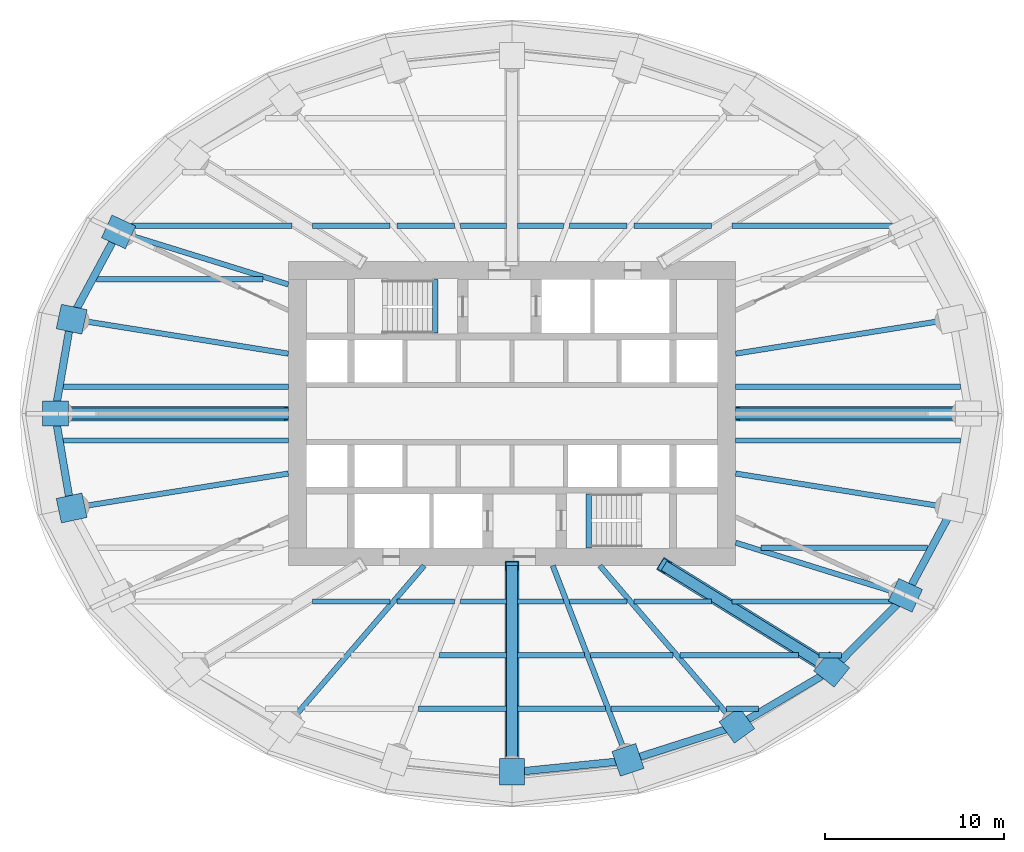
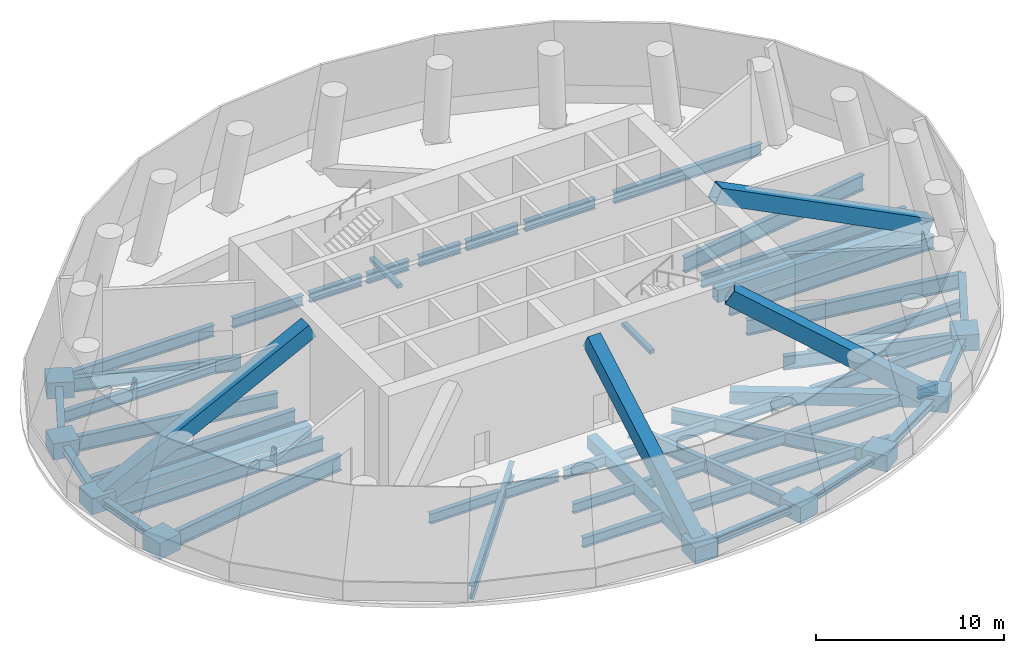
# One storey, part 2 of 7: 62 beams, 4 members.
"""IFC4 building model written with IfcOpenShell, lengths in metres."""

from ifc_helpers import new_model, si_unit, direction, frame, origin, origin_2d, place, context, subcontext, project, spatial, rectangle, hollow_rectangle, i_section, extrude, material, material_profile, profile_set, type_object, element, save


model = new_model("IFC4")

# Units and contexts
model_context = context("Model", 3, precision=1e-05, world=origin(), true_north=direction((0.0, 1.0)))
body_context = subcontext(model_context, "Body", "Model", "MODEL_VIEW")
ifc_project = project(units=[si_unit("LENGTHUNIT", "METRE"), si_unit("AREAUNIT", "SQUARE_METRE"), si_unit("VOLUMEUNIT", "CUBIC_METRE"), si_unit("PLANEANGLEUNIT", "RADIAN"), si_unit("MASSUNIT", "GRAM", prefix="KILO")], contexts=[model_context])

# Site, building, storey
site_placement = place(None, origin())
site = spatial("IfcSite", under=ifc_project, at=site_placement, CompositionType="ELEMENT")
building_placement = place(site_placement, origin())
building = spatial("IfcBuilding", under=site, at=building_placement, Name="Hankou Lantern Tower", CompositionType="ELEMENT")
storey_placement = place(building_placement, frame((0.0, 0.0, 93.60009765625)))
storey = spatial("IfcBuildingStorey", under=building, at=storey_placement, Name="L24", CompositionType="ELEMENT", Elevation=93.60009765625)

# Beams
ifc_material_1 = material(Name="Steel Q355B", Category="steel")
ifc_material_profile_1 = material_profile(ifc_material_1, i_section(OverallWidth=0.4169921875, OverallDepth=0.4580078125, WebThickness=0.030029296875, FlangeThickness=0.050048828125, FilletRadius=0.02197265625, at=origin_2d()), Name="HW458x417x30x50")
ifc_profile_set_1 = profile_set([ifc_material_profile_1], Name="Steel Q355B")
beam_type_1 = type_object("IfcBeamType", Name="EB21 RING BEAM HW458x417x30x50", PredefinedType="SPANDREL", material=ifc_profile_set_1)
beam_1_placement = place(storey_placement, frame((-22.01904296875, 10.170166015625, -0.47900390625), z_axis=(-0.473609096023, -0.880735161194, 0.0), x_axis=(0.880735161194, -0.473609096023, 0.0)))
element("IfcBeam", 1, at=beam_1_placement, inside=storey, type_object=beam_type_1, Name="Ring beam R11-R12 L24", PredefinedType="SPANDREL", context=body_context, shape_type="SweptSolid", body=[
    extrude(i_section(OverallWidth=0.4169921875, OverallDepth=0.4580078125, WebThickness=0.030029296875, FlangeThickness=0.050048828125, FilletRadius=0.02197265625, at=origin_2d()), origin(), (0.0, 0.0, 1.0), 5.548828125),
])
for number, where, z_axis, x_axis, name in (
    (2, (-24.64697265625, 5.283203125, -0.47900390625), (-0.168489691988, -0.985703415685, 0.0), (0.985703415685, -0.168489691988, 0.0), "Ring beam R12-R13 L24"),
    (3, (-25.550048828125, 0.0, -0.47900390625), (0.168489691988, -0.985703415685, 0.0), (0.985703415685, 0.168489691988, 0.0), "Ring beam R13-R14 L24"),
):
    element("IfcBeam", number, at=place(storey_placement, frame(where, z_axis=z_axis, x_axis=x_axis)), inside=storey, type_object=beam_type_1, Name=name, PredefinedType="SPANDREL", context=body_context, shape_type="SweptSolid", body=[
        extrude(i_section(OverallWidth=0.4169921875, OverallDepth=0.4580078125, WebThickness=0.030029296875, FlangeThickness=0.050048828125, FilletRadius=0.02197265625, at=origin_2d()), origin(), (0.0, 0.0, 1.0), 5.35986328125),
    ])
beam_2_placement = place(storey_placement, frame((0.0, -20.050048828125, -0.47900390625), z_axis=(0.994896616842, 0.100899562915, 0.0), x_axis=(-0.100899562915, 0.994896616842, 0.0)))
element("IfcBeam", 4, at=beam_2_placement, inside=storey, type_object=beam_type_1, Name="Ring beam R19-R20 L24", PredefinedType="SPANDREL", context=body_context, shape_type="SweptSolid", body=[
    extrude(i_section(OverallWidth=0.4169921875, OverallDepth=0.4580078125, WebThickness=0.030029296875, FlangeThickness=0.050048828125, FilletRadius=0.02197265625, at=origin_2d()), origin(), (0.0, 0.0, 1.0), 6.528076171875),
])
beam_3_placement = place(storey_placement, frame((6.494873046875, -19.391357421875, -0.47900390625), z_axis=(0.952690479428, 0.303942182671, 0.0), x_axis=(-0.303942182671, 0.952690479428, 0.0)))
element("IfcBeam", 5, at=beam_3_placement, inside=storey, type_object=beam_type_1, Name="Ring beam R20-R21 L24", PredefinedType="SPANDREL", context=body_context, shape_type="SweptSolid", body=[
    extrude(i_section(OverallWidth=0.4169921875, OverallDepth=0.4580078125, WebThickness=0.030029296875, FlangeThickness=0.050048828125, FilletRadius=0.02197265625, at=origin_2d()), origin(), (0.0, 0.0, 1.0), 6.398681640625),
])
beam_4_placement = place(storey_placement, frame((12.5908203125, -17.446533203125, -0.47900390625), z_axis=(0.860881533543, 0.508805449268, 0.0), x_axis=(-0.508805449268, 0.860881533543, 0.0)))
element("IfcBeam", 6, at=beam_4_placement, inside=storey, type_object=beam_type_1, Name="Ring beam R21-R22 L24", PredefinedType="SPANDREL", context=body_context, shape_type="SweptSolid", body=[
    extrude(i_section(OverallWidth=0.4169921875, OverallDepth=0.4580078125, WebThickness=0.030029296875, FlangeThickness=0.050048828125, FilletRadius=0.02197265625, at=origin_2d()), origin(), (0.0, 0.0, 1.0), 6.15771484375),
])
beam_5_placement = place(storey_placement, frame((17.891845703125, -14.3134765625, -0.47900390625), z_axis=(0.705727798394, 0.708483079949, 0.0), x_axis=(-0.708483079949, 0.705727798394, 0.0)))
element("IfcBeam", 7, at=beam_5_placement, inside=storey, type_object=beam_type_1, Name="Ring beam R22-R23 L24", PredefinedType="SPANDREL", context=body_context, shape_type="SweptSolid", body=[
    extrude(i_section(OverallWidth=0.4169921875, OverallDepth=0.4580078125, WebThickness=0.030029296875, FlangeThickness=0.050048828125, FilletRadius=0.02197265625, at=origin_2d()), origin(), (0.0, 0.0, 1.0), 5.84814453125),
])
beam_6_placement = place(storey_placement, frame((22.01904296875, -10.170166015625, -0.47900390625), z_axis=(0.473609096023, 0.880735161194, 0.0), x_axis=(-0.880735161194, 0.473609096023, 0.0)))
element("IfcBeam", 8, at=beam_6_placement, inside=storey, type_object=beam_type_1, Name="Ring beam R23-R24 L24", PredefinedType="SPANDREL", context=body_context, shape_type="SweptSolid", body=[
    extrude(i_section(OverallWidth=0.4169921875, OverallDepth=0.4580078125, WebThickness=0.030029296875, FlangeThickness=0.050048828125, FilletRadius=0.02197265625, at=origin_2d()), origin(), (0.0, 0.0, 1.0), 5.548828125),
])
ifc_material_2 = material(Name="Concrete C40", Category="concrete")
ifc_material_profile_2 = material_profile(ifc_material_2, rectangle(XDim=0.300048828125, YDim=0.25, at=origin_2d()), Name="RC 300x250")
ifc_profile_set_2 = profile_set([ifc_material_profile_2], Name="Concrete C40")
beam_type_2 = type_object("IfcBeamType", Name="LB1 STAIR LANDING BEAM RC 300x250", PredefinedType="BEAM", material=ifc_profile_set_2)
for number, where, z_axis, x_axis, name in (
    (9, (-4.300048828125, 4.5, 3.017822265625), (0.0, 1.0, 0.0), (-1.0, 0.0, 0.0), "Stair STA landing beam L24"),
    (10, (4.300048828125, -4.5, 3.017822265625), (0.0, -1.0, 0.0), (1.0, 0.0, 0.0), "Stair STB landing beam L24"),
):
    element("IfcBeam", number, at=place(storey_placement, frame(where, z_axis=z_axis, x_axis=x_axis)), inside=storey, type_object=beam_type_2, Name=name, PredefinedType="BEAM", context=body_context, shape_type="SweptSolid", body=[
        extrude(rectangle(XDim=0.300048828125, YDim=0.25, at=origin_2d()), origin(), (0.0, 0.0, 1.0), 3.0),
    ])

# Members
ifc_material_3 = material(Name="Steel Q390GJ", Category="steel")
ifc_material_profile_3 = material_profile(ifc_material_3, hollow_rectangle(XDim=0.800048828125, YDim=1.0, WallThickness=0.06005859375, at=origin_2d()), Name="BOX1000x800x60")
ifc_profile_set_3 = profile_set([ifc_material_profile_3], Name="Steel Q390GJ")
member_type = type_object("IfcMemberType", Name="OD1 OUTRIGGER DIAGONAL BOX1000x800x60", PredefinedType="BRACE", material=ifc_profile_set_3)
for number, where, z_axis, x_axis, name in (
    (11, (12.5, 0.0, 5.949951171875), (0.892364354646, 0.0, -0.45131569722), (0.0, 1.0, 0.0), "Outrigger diagonal R01 L24"),
    (12, (-12.5, 0.0, 5.949951171875), (-0.892364354646, 0.0, -0.45131569722), (0.0, -1.0, 0.0), "Outrigger diagonal R13 L24"),
):
    element("IfcMember", number, at=place(storey_placement, frame(where, z_axis=z_axis, x_axis=x_axis)), inside=storey, type_object=member_type, Name=name, PredefinedType="BRACE", context=body_context, shape_type="SweptSolid", body=[
        extrude(hollow_rectangle(XDim=0.800048828125, YDim=1.0, WallThickness=0.06005859375, at=origin_2d()), origin(), (0.0, 0.0, 1.0), 14.6240234375),
    ])
member_1_placement = place(storey_placement, frame((0.0, -8.5, 5.949951171875), z_axis=(0.0, -0.86824088334, -0.496142891209), x_axis=(1.0, 0.0, 0.0)))
element("IfcMember", 13, at=member_1_placement, inside=storey, type_object=member_type, Name="Outrigger diagonal R19 L24", PredefinedType="BRACE", context=body_context, shape_type="SweptSolid", body=[
    extrude(hollow_rectangle(XDim=0.800048828125, YDim=1.0, WallThickness=0.06005859375, at=origin_2d()), origin(), (0.0, 0.0, 1.0), 13.302734375),
])
member_2_placement = place(storey_placement, frame((8.5, -8.5, 5.949951171875), z_axis=(0.72990653743, -0.45180624579, -0.512940116273), x_axis=(0.526320372414, 0.850286343288, 0.0)))
element("IfcMember", 14, at=member_2_placement, inside=storey, type_object=member_type, Name="Outrigger diagonal R22 L24", PredefinedType="BRACE", context=body_context, shape_type="SweptSolid", body=[
    extrude(hollow_rectangle(XDim=0.800048828125, YDim=1.0, WallThickness=0.06005859375, at=origin_2d()), origin(), (0.0, 0.0, 1.0), 12.8671875),
])

# Beams
ifc_material_4 = material(Name="Steel Q390GJ", Category="steel")
ifc_material_profile_4 = material_profile(ifc_material_4, hollow_rectangle(XDim=0.60009765625, YDim=0.800048828125, WallThickness=0.050048828125, at=origin_2d()), Name="BOX800x600x50")
ifc_profile_set_4 = profile_set([ifc_material_profile_4], Name="Steel Q390GJ")
beam_type_3 = type_object("IfcBeamType", Name="OT1 OUTRIGGER CHORD BOX800x600x50", PredefinedType="BEAM", material=ifc_profile_set_4)
for number, where, z_axis, x_axis, name in (
    (15, (12.5, 0.0, -0.650146484375), (1.0, 0.0, 0.0), (0.0, 1.0, 0.0), "Radial beam R01 L24"),
    (16, (-12.5, 0.0, -0.650146484375), (-1.0, 0.0, 0.0), (0.0, -1.0, 0.0), "Radial beam R13 L24"),
):
    element("IfcBeam", number, at=place(storey_placement, frame(where, z_axis=z_axis, x_axis=x_axis)), inside=storey, type_object=beam_type_3, Name=name, PredefinedType="BEAM", context=body_context, shape_type="SweptSolid", body=[
        extrude(hollow_rectangle(XDim=0.60009765625, YDim=0.800048828125, WallThickness=0.050048828125, at=origin_2d()), origin(), (0.0, 0.0, 1.0), 13.050048828125),
    ])
beam_7_placement = place(storey_placement, frame((0.0, -8.5, -0.650146484375), z_axis=(0.0, -1.0, 0.0), x_axis=(1.0, 0.0, 0.0)))
element("IfcBeam", 17, at=beam_7_placement, inside=storey, type_object=beam_type_3, Name="Radial beam R19 L24", PredefinedType="BEAM", context=body_context, shape_type="SweptSolid", body=[
    extrude(hollow_rectangle(XDim=0.60009765625, YDim=0.800048828125, WallThickness=0.050048828125, at=origin_2d()), origin(), (0.0, 0.0, 1.0), 11.550048828125),
])
beam_8_placement = place(storey_placement, frame((8.5, -8.5, -0.650146484375), z_axis=(0.850286343288, -0.526320372414, 0.0), x_axis=(0.526320372414, 0.850286343288, 0.0)))
element("IfcBeam", 18, at=beam_8_placement, inside=storey, type_object=beam_type_3, Name="Radial beam R22 L24", PredefinedType="BEAM", context=body_context, shape_type="SweptSolid", body=[
    extrude(hollow_rectangle(XDim=0.60009765625, YDim=0.800048828125, WallThickness=0.050048828125, at=origin_2d()), origin(), (0.0, 0.0, 1.0), 11.04541015625),
])
ifc_material_5 = material(Name="Steel Q355B", Category="steel")
ifc_material_profile_5 = material_profile(ifc_material_5, i_section(OverallWidth=0.300048828125, OverallDepth=0.89990234375, WebThickness=0.01611328125, FlangeThickness=0.028076171875, FilletRadius=0.01806640625, at=origin_2d()), Name="HN900x300x16x28")
ifc_profile_set_5 = profile_set([ifc_material_profile_5], Name="Steel Q355B")
beam_type_4 = type_object("IfcBeamType", Name="RB13 RADIAL BEAM HN900x300x16x28", PredefinedType="BEAM", material=ifc_profile_set_5)
beam_9_placement = place(storey_placement, frame((-12.5, 7.216796875, -0.7001953125), z_axis=(-0.955087327755, 0.29632447817, 0.0), x_axis=(-0.29632447817, -0.955087327755, 0.0)))
element("IfcBeam", 19, at=beam_9_placement, inside=storey, type_object=beam_type_4, Name="Radial beam R11 L24", PredefinedType="BEAM", context=body_context, shape_type="SweptSolid", body=[
    extrude(i_section(OverallWidth=0.300048828125, OverallDepth=0.89990234375, WebThickness=0.01611328125, FlangeThickness=0.028076171875, FilletRadius=0.01806640625, at=origin_2d()), origin(), (0.0, 0.0, 1.0), 9.966552734375),
])
beam_10_placement = place(storey_placement, frame((-4.907470703125, -8.5, -0.7001953125), z_axis=(-0.651519061225, -0.758632264579, 0.0), x_axis=(0.758632264579, -0.651519061225, 0.0)))
element("IfcBeam", 20, at=beam_10_placement, inside=storey, type_object=beam_type_4, Name="Radial beam R17 L24", PredefinedType="BEAM", context=body_context, shape_type="SweptSolid", body=[
    extrude(i_section(OverallWidth=0.300048828125, OverallDepth=0.89990234375, WebThickness=0.01611328125, FlangeThickness=0.028076171875, FilletRadius=0.01806640625, at=origin_2d()), origin(), (0.0, 0.0, 1.0), 11.79296875),
])
beam_11_placement = place(storey_placement, frame((2.277587890625, -8.5, -0.7001953125), z_axis=(0.361089103374, -0.932531318201, 0.0), x_axis=(0.932531318201, 0.361089103374, 0.0)))
element("IfcBeam", 21, at=beam_11_placement, inside=storey, type_object=beam_type_4, Name="Radial beam R20 L24", PredefinedType="BEAM", context=body_context, shape_type="SweptSolid", body=[
    extrude(i_section(OverallWidth=0.300048828125, OverallDepth=0.89990234375, WebThickness=0.01611328125, FlangeThickness=0.028076171875, FilletRadius=0.01806640625, at=origin_2d()), origin(), (0.0, 0.0, 1.0), 11.679443359375),
])
beam_12_placement = place(storey_placement, frame((4.907470703125, -8.5, -0.7001953125), z_axis=(0.651519061225, -0.758632264579, 0.0), x_axis=(0.758632264579, 0.651519061225, 0.0)))
element("IfcBeam", 22, at=beam_12_placement, inside=storey, type_object=beam_type_4, Name="Radial beam R21 L24", PredefinedType="BEAM", context=body_context, shape_type="SweptSolid", body=[
    extrude(i_section(OverallWidth=0.300048828125, OverallDepth=0.89990234375, WebThickness=0.01611328125, FlangeThickness=0.028076171875, FilletRadius=0.01806640625, at=origin_2d()), origin(), (0.0, 0.0, 1.0), 11.79296875),
])
beam_13_placement = place(storey_placement, frame((12.5, -7.216796875, -0.7001953125), z_axis=(0.955087327755, -0.29632447817, 0.0), x_axis=(0.29632447817, 0.955087327755, 0.0)))
element("IfcBeam", 23, at=beam_13_placement, inside=storey, type_object=beam_type_4, Name="Radial beam R23 L24", PredefinedType="BEAM", context=body_context, shape_type="SweptSolid", body=[
    extrude(i_section(OverallWidth=0.300048828125, OverallDepth=0.89990234375, WebThickness=0.01611328125, FlangeThickness=0.028076171875, FilletRadius=0.01806640625, at=origin_2d()), origin(), (0.0, 0.0, 1.0), 9.966552734375),
])
ifc_material_6 = material(Name="Steel Q355B", Category="steel")
ifc_material_profile_6 = material_profile(ifc_material_6, i_section(OverallWidth=0.300048828125, OverallDepth=1.0, WebThickness=0.01904296875, FlangeThickness=0.035888671875, FilletRadius=0.01806640625, at=origin_2d()), Name="HN1000x300x19x36")
ifc_profile_set_6 = profile_set([ifc_material_profile_6], Name="Steel Q355B")
beam_type_5 = type_object("IfcBeamType", Name="RB22 RADIAL BEAM HN1000x300x19x36", PredefinedType="BEAM", material=ifc_profile_set_6)
for number, where, z_axis, x_axis, name in (
    (24, (12.5, 3.349365234375, -0.75), (0.987563081343, 0.157223281893, 0.0), (-0.157223281893, 0.987563081343, 0.0), "Radial beam R02 L24"),
    (25, (-12.5, 3.349365234375, -0.75), (-0.987563081343, 0.157223281893, 0.0), (-0.157223281893, -0.987563081343, 0.0), "Radial beam R12 L24"),
    (26, (-12.5, -3.349365234375, -0.75), (-0.987563081343, -0.157223281893, 0.0), (0.157223281893, -0.987563081343, 0.0), "Radial beam R14 L24"),
    (27, (12.5, -3.349365234375, -0.75), (0.987563081343, -0.157223281893, 0.0), (0.157223281893, 0.987563081343, 0.0), "Radial beam R24 L24"),
):
    element("IfcBeam", number, at=place(storey_placement, frame(where, z_axis=z_axis, x_axis=x_axis)), inside=storey, type_object=beam_type_5, Name=name, PredefinedType="BEAM", context=body_context, shape_type="SweptSolid", body=[
        extrude(i_section(OverallWidth=0.300048828125, OverallDepth=1.0, WebThickness=0.01904296875, FlangeThickness=0.035888671875, FilletRadius=0.01806640625, at=origin_2d()), origin(), (0.0, 0.0, 1.0), 12.300048828125),
    ])
ifc_material_7 = material(Name="Steel Q355B", Category="steel")
ifc_material_profile_7 = material_profile(ifc_material_7, i_section(OverallWidth=0.300048828125, OverallDepth=0.75, WebThickness=0.012939453125, FlangeThickness=0.02392578125, FilletRadius=0.01806640625, at=origin_2d()), Name="HN750x300x13x24")
ifc_profile_set_7 = profile_set([ifc_material_profile_7], Name="Steel Q355B")
beam_type_6 = type_object("IfcBeamType", Name="SB10 SECONDARY BEAM HN750x300x13x24", PredefinedType="JOIST", material=ifc_profile_set_7)
beam_14_placement = place(storey_placement, frame((12.301025390625, -10.5, -0.625), z_axis=(1.0, 0.0, 0.0), x_axis=(0.0, 1.0, 0.0)))
element("IfcBeam", 28, at=beam_14_placement, inside=storey, type_object=beam_type_6, Name="Floor joist J022 L24", PredefinedType="JOIST", context=body_context, shape_type="SweptSolid", body=[
    extrude(i_section(OverallWidth=0.300048828125, OverallDepth=0.75, WebThickness=0.012939453125, FlangeThickness=0.02392578125, FilletRadius=0.01806640625, at=origin_2d()), origin(), (0.0, 0.0, 1.0), 9.09521484375),
])
for number, where, z_axis, x_axis, name in (
    (29, (13.918701171875, -7.5, -0.625), (1.0, 0.0, 0.0), (0.0, 1.0, 0.0), "Floor joist J024 L24"),
    (30, (-23.21826171875, 7.5, -0.625), (1.0, 0.0, 0.0), (0.0, 1.0, 0.0), "Floor joist J037 L24"),
):
    element("IfcBeam", number, at=place(storey_placement, frame(where, z_axis=z_axis, x_axis=x_axis)), inside=storey, type_object=beam_type_6, Name=name, PredefinedType="JOIST", context=body_context, shape_type="SweptSolid", body=[
        extrude(i_section(OverallWidth=0.300048828125, OverallDepth=0.75, WebThickness=0.012939453125, FlangeThickness=0.02392578125, FilletRadius=0.01806640625, at=origin_2d()), origin(), (0.0, 0.0, 1.0), 9.299560546875),
    ])
for number, where, z_axis, x_axis, name in (
    (31, (-21.396240234375, 10.5, -0.625), (1.0, 0.0, 0.0), (0.0, 1.0, 0.0), "Floor joist J039 L24"),
    (32, (12.301025390625, 10.5, -0.625), (1.0, 0.0, 0.0), (0.0, 1.0, 0.0), "Floor joist J046 L24"),
):
    element("IfcBeam", number, at=place(storey_placement, frame(where, z_axis=z_axis, x_axis=x_axis)), inside=storey, type_object=beam_type_6, Name=name, PredefinedType="JOIST", context=body_context, shape_type="SweptSolid", body=[
        extrude(i_section(OverallWidth=0.300048828125, OverallDepth=0.75, WebThickness=0.012939453125, FlangeThickness=0.02392578125, FilletRadius=0.01806640625, at=origin_2d()), origin(), (0.0, 0.0, 1.0), 9.09521484375),
    ])
ifc_material_8 = material(Name="Steel Q355B", Category="steel")
ifc_material_profile_8 = material_profile(ifc_material_8, i_section(OverallWidth=0.300048828125, OverallDepth=0.85009765625, WebThickness=0.01611328125, FlangeThickness=0.027099609375, FilletRadius=0.01806640625, at=origin_2d()), Name="HN850x300x16x27")
ifc_profile_set_8 = profile_set([ifc_material_profile_8], Name="Steel Q355B")
beam_type_7 = type_object("IfcBeamType", Name="SB12 SECONDARY BEAM HN850x300x16x27", PredefinedType="JOIST", material=ifc_profile_set_8)
for number, where, z_axis, x_axis, name in (
    (33, (-25.08203125, -1.5, -0.675048828125), (1.0, 0.0, 0.0), (0.0, 1.0, 0.0), "Floor joist J029 L24"),
    (34, (12.5, -1.5, -0.675048828125), (1.0, 0.0, 0.0), (0.0, 1.0, 0.0), "Floor joist J030 L24"),
    (35, (-25.08203125, 1.5, -0.675048828125), (1.0, 0.0, 0.0), (0.0, 1.0, 0.0), "Floor joist J031 L24"),
    (36, (12.5, 1.5, -0.675048828125), (1.0, 0.0, 0.0), (0.0, 1.0, 0.0), "Floor joist J032 L24"),
):
    element("IfcBeam", number, at=place(storey_placement, frame(where, z_axis=z_axis, x_axis=x_axis)), inside=storey, type_object=beam_type_7, Name=name, PredefinedType="JOIST", context=body_context, shape_type="SweptSolid", body=[
        extrude(i_section(OverallWidth=0.300048828125, OverallDepth=0.85009765625, WebThickness=0.01611328125, FlangeThickness=0.027099609375, FilletRadius=0.01806640625, at=origin_2d()), origin(), (0.0, 0.0, 1.0), 12.58203125),
    ])
ifc_material_9 = material(Name="Steel Q355B", Category="steel")
ifc_material_profile_9 = material_profile(ifc_material_9, i_section(OverallWidth=0.300048828125, OverallDepth=0.64990234375, WebThickness=0.010986328125, FlangeThickness=0.01708984375, FilletRadius=0.01806640625, at=origin_2d()), Name="HN650x300x11x17")
ifc_profile_set_9 = profile_set([ifc_material_profile_9], Name="Steel Q355B")
beam_type_8 = type_object("IfcBeamType", Name="SB8 SECONDARY BEAM HN650x300x11x17", PredefinedType="JOIST", material=ifc_profile_set_9)
for number, where, z_axis, x_axis, name in (
    (37, (-5.21435546875, -16.5, -0.5751953125), (1.0, 0.0, 0.0), (0.0, 1.0, 0.0), "Floor joist J003 L24"),
    (38, (0.300048828125, -16.5, -0.5751953125), (1.0, 0.0, 0.0), (0.0, 1.0, 0.0), "Floor joist J004 L24"),
):
    element("IfcBeam", number, at=place(storey_placement, frame(where, z_axis=z_axis, x_axis=x_axis)), inside=storey, type_object=beam_type_8, Name=name, PredefinedType="JOIST", context=body_context, shape_type="SweptSolid", body=[
        extrude(i_section(OverallWidth=0.300048828125, OverallDepth=0.64990234375, WebThickness=0.010986328125, FlangeThickness=0.01708984375, FilletRadius=0.01806640625, at=origin_2d()), origin(), (0.0, 0.0, 1.0), 4.914306640625),
    ])
beam_15_placement = place(storey_placement, frame((5.5361328125, -16.5, -0.5751953125), z_axis=(1.0, 0.0, 0.0), x_axis=(0.0, 1.0, 0.0)))
element("IfcBeam", 39, at=beam_15_placement, inside=storey, type_object=beam_type_8, Name="Floor joist J005 L24", PredefinedType="JOIST", context=body_context, shape_type="SweptSolid", body=[
    extrude(i_section(OverallWidth=0.300048828125, OverallDepth=0.64990234375, WebThickness=0.010986328125, FlangeThickness=0.01708984375, FilletRadius=0.01806640625, at=origin_2d()), origin(), (0.0, 0.0, 1.0), 6.044189453125),
])
beam_16_placement = place(storey_placement, frame((11.975830078125, -16.5, -0.5751953125), z_axis=(1.0, 0.0, 0.0), x_axis=(0.0, 1.0, 0.0)))
element("IfcBeam", 40, at=beam_16_placement, inside=storey, type_object=beam_type_8, Name="Floor joist J006 L24", PredefinedType="JOIST", context=body_context, shape_type="SweptSolid", body=[
    extrude(i_section(OverallWidth=0.300048828125, OverallDepth=0.64990234375, WebThickness=0.010986328125, FlangeThickness=0.01708984375, FilletRadius=0.01806640625, at=origin_2d()), origin(), (0.0, 0.0, 1.0), 1.806640625),
])
for number, where, z_axis, x_axis, name in (
    (41, (-4.052734375, -13.5, -0.5751953125), (1.0, 0.0, 0.0), (0.0, 1.0, 0.0), "Floor joist J010 L24"),
    (42, (0.300048828125, -13.5, -0.5751953125), (1.0, 0.0, 0.0), (0.0, 1.0, 0.0), "Floor joist J011 L24"),
):
    element("IfcBeam", number, at=place(storey_placement, frame(where, z_axis=z_axis, x_axis=x_axis)), inside=storey, type_object=beam_type_8, Name=name, PredefinedType="JOIST", context=body_context, shape_type="SweptSolid", body=[
        extrude(i_section(OverallWidth=0.300048828125, OverallDepth=0.64990234375, WebThickness=0.010986328125, FlangeThickness=0.01708984375, FilletRadius=0.01806640625, at=origin_2d()), origin(), (0.0, 0.0, 1.0), 3.752685546875),
    ])
beam_17_placement = place(storey_placement, frame((4.37451171875, -13.5, -0.5751953125), z_axis=(1.0, 0.0, 0.0), x_axis=(0.0, 1.0, 0.0)))
element("IfcBeam", 43, at=beam_17_placement, inside=storey, type_object=beam_type_8, Name="Floor joist J012 L24", PredefinedType="JOIST", context=body_context, shape_type="SweptSolid", body=[
    extrude(i_section(OverallWidth=0.300048828125, OverallDepth=0.64990234375, WebThickness=0.010986328125, FlangeThickness=0.01708984375, FilletRadius=0.01806640625, at=origin_2d()), origin(), (0.0, 0.0, 1.0), 4.62939453125),
])
beam_18_placement = place(storey_placement, frame((9.3994140625, -13.5, -0.5751953125), z_axis=(1.0, 0.0, 0.0), x_axis=(0.0, 1.0, 0.0)))
element("IfcBeam", 44, at=beam_18_placement, inside=storey, type_object=beam_type_8, Name="Floor joist J013 L24", PredefinedType="JOIST", context=body_context, shape_type="SweptSolid", body=[
    extrude(i_section(OverallWidth=0.300048828125, OverallDepth=0.64990234375, WebThickness=0.010986328125, FlangeThickness=0.01708984375, FilletRadius=0.01806640625, at=origin_2d()), origin(), (0.0, 0.0, 1.0), 6.6083984375),
])
beam_19_placement = place(storey_placement, frame((17.147705078125, -13.5, -0.5751953125), z_axis=(1.0, 0.0, 0.0), x_axis=(0.0, 1.0, 0.0)))
element("IfcBeam", 45, at=beam_19_placement, inside=storey, type_object=beam_type_8, Name="Floor joist J014 L24", PredefinedType="JOIST", context=body_context, shape_type="SweptSolid", body=[
    extrude(i_section(OverallWidth=0.300048828125, OverallDepth=0.64990234375, WebThickness=0.010986328125, FlangeThickness=0.01708984375, FilletRadius=0.01806640625, at=origin_2d()), origin(), (0.0, 0.0, 1.0), 1.260009765625),
])
beam_20_placement = place(storey_placement, frame((-11.1611328125, -10.5, -0.5751953125), z_axis=(1.0, 0.0, 0.0), x_axis=(0.0, 1.0, 0.0)))
element("IfcBeam", 46, at=beam_20_placement, inside=storey, type_object=beam_type_8, Name="Floor joist J016 L24", PredefinedType="JOIST", context=body_context, shape_type="SweptSolid", body=[
    extrude(i_section(OverallWidth=0.300048828125, OverallDepth=0.64990234375, WebThickness=0.010986328125, FlangeThickness=0.01708984375, FilletRadius=0.01806640625, at=origin_2d()), origin(), (0.0, 0.0, 1.0), 4.33837890625),
])
beam_21_placement = place(storey_placement, frame((-6.427490234375, -10.5, -0.5751953125), z_axis=(1.0, 0.0, 0.0), x_axis=(0.0, 1.0, 0.0)))
element("IfcBeam", 47, at=beam_21_placement, inside=storey, type_object=beam_type_8, Name="Floor joist J017 L24", PredefinedType="JOIST", context=body_context, shape_type="SweptSolid", body=[
    extrude(i_section(OverallWidth=0.300048828125, OverallDepth=0.64990234375, WebThickness=0.010986328125, FlangeThickness=0.01708984375, FilletRadius=0.01806640625, at=origin_2d()), origin(), (0.0, 0.0, 1.0), 3.214599609375),
])
for number, where, z_axis, x_axis, name in (
    (48, (-2.89111328125, -10.5, -0.5751953125), (1.0, 0.0, 0.0), (0.0, 1.0, 0.0), "Floor joist J018 L24"),
    (49, (0.300048828125, -10.5, -0.5751953125), (1.0, 0.0, 0.0), (0.0, 1.0, 0.0), "Floor joist J019 L24"),
):
    element("IfcBeam", number, at=place(storey_placement, frame(where, z_axis=z_axis, x_axis=x_axis)), inside=storey, type_object=beam_type_8, Name=name, PredefinedType="JOIST", context=body_context, shape_type="SweptSolid", body=[
        extrude(i_section(OverallWidth=0.300048828125, OverallDepth=0.64990234375, WebThickness=0.010986328125, FlangeThickness=0.01708984375, FilletRadius=0.01806640625, at=origin_2d()), origin(), (0.0, 0.0, 1.0), 2.591064453125),
    ])
beam_22_placement = place(storey_placement, frame((3.212890625, -10.5, -0.5751953125), z_axis=(1.0, 0.0, 0.0), x_axis=(0.0, 1.0, 0.0)))
element("IfcBeam", 50, at=beam_22_placement, inside=storey, type_object=beam_type_8, Name="Floor joist J020 L24", PredefinedType="JOIST", context=body_context, shape_type="SweptSolid", body=[
    extrude(i_section(OverallWidth=0.300048828125, OverallDepth=0.64990234375, WebThickness=0.010986328125, FlangeThickness=0.01708984375, FilletRadius=0.01806640625, at=origin_2d()), origin(), (0.0, 0.0, 1.0), 3.214599609375),
])
for number, where, z_axis, x_axis, name in (
    (51, (6.82275390625, -10.5, -0.5751953125), (1.0, 0.0, 0.0), (0.0, 1.0, 0.0), "Floor joist J021 L24"),
    (52, (-11.1611328125, 10.5, -0.5751953125), (1.0, 0.0, 0.0), (0.0, 1.0, 0.0), "Floor joist J040 L24"),
):
    element("IfcBeam", number, at=place(storey_placement, frame(where, z_axis=z_axis, x_axis=x_axis)), inside=storey, type_object=beam_type_8, Name=name, PredefinedType="JOIST", context=body_context, shape_type="SweptSolid", body=[
        extrude(i_section(OverallWidth=0.300048828125, OverallDepth=0.64990234375, WebThickness=0.010986328125, FlangeThickness=0.01708984375, FilletRadius=0.01806640625, at=origin_2d()), origin(), (0.0, 0.0, 1.0), 4.33837890625),
    ])
beam_23_placement = place(storey_placement, frame((-6.427490234375, 10.5, -0.5751953125), z_axis=(1.0, 0.0, 0.0), x_axis=(0.0, 1.0, 0.0)))
element("IfcBeam", 53, at=beam_23_placement, inside=storey, type_object=beam_type_8, Name="Floor joist J041 L24", PredefinedType="JOIST", context=body_context, shape_type="SweptSolid", body=[
    extrude(i_section(OverallWidth=0.300048828125, OverallDepth=0.64990234375, WebThickness=0.010986328125, FlangeThickness=0.01708984375, FilletRadius=0.01806640625, at=origin_2d()), origin(), (0.0, 0.0, 1.0), 3.214599609375),
])
for number, where, z_axis, x_axis, name in (
    (54, (-2.89111328125, 10.5, -0.5751953125), (1.0, 0.0, 0.0), (0.0, 1.0, 0.0), "Floor joist J042 L24"),
    (55, (0.300048828125, 10.5, -0.5751953125), (1.0, 0.0, 0.0), (0.0, 1.0, 0.0), "Floor joist J043 L24"),
):
    element("IfcBeam", number, at=place(storey_placement, frame(where, z_axis=z_axis, x_axis=x_axis)), inside=storey, type_object=beam_type_8, Name=name, PredefinedType="JOIST", context=body_context, shape_type="SweptSolid", body=[
        extrude(i_section(OverallWidth=0.300048828125, OverallDepth=0.64990234375, WebThickness=0.010986328125, FlangeThickness=0.01708984375, FilletRadius=0.01806640625, at=origin_2d()), origin(), (0.0, 0.0, 1.0), 2.591064453125),
    ])
beam_24_placement = place(storey_placement, frame((3.212890625, 10.5, -0.5751953125), z_axis=(1.0, 0.0, 0.0), x_axis=(0.0, 1.0, 0.0)))
element("IfcBeam", 56, at=beam_24_placement, inside=storey, type_object=beam_type_8, Name="Floor joist J044 L24", PredefinedType="JOIST", context=body_context, shape_type="SweptSolid", body=[
    extrude(i_section(OverallWidth=0.300048828125, OverallDepth=0.64990234375, WebThickness=0.010986328125, FlangeThickness=0.01708984375, FilletRadius=0.01806640625, at=origin_2d()), origin(), (0.0, 0.0, 1.0), 3.214599609375),
])
beam_25_placement = place(storey_placement, frame((6.82275390625, 10.5, -0.5751953125), z_axis=(1.0, 0.0, 0.0), x_axis=(0.0, 1.0, 0.0)))
element("IfcBeam", 57, at=beam_25_placement, inside=storey, type_object=beam_type_8, Name="Floor joist J045 L24", PredefinedType="JOIST", context=body_context, shape_type="SweptSolid", body=[
    extrude(i_section(OverallWidth=0.300048828125, OverallDepth=0.64990234375, WebThickness=0.010986328125, FlangeThickness=0.01708984375, FilletRadius=0.01806640625, at=origin_2d()), origin(), (0.0, 0.0, 1.0), 4.33837890625),
])
ifc_material_10 = material(Name="Concrete C60", Category="concrete")
ifc_material_profile_10 = material_profile(ifc_material_10, rectangle(XDim=1.39990234375, YDim=1.050048828125, at=origin_2d()), Name="RC 1400x1050")
ifc_profile_set_10 = profile_set([ifc_material_profile_10], Name="Concrete C60")
beam_type_9 = type_object("IfcBeamType", Name="TN1 TRANSFER NODE RC 1400x1050", PredefinedType="BEAM", material=ifc_profile_set_10)
beam_26_placement = place(storey_placement, frame((-22.654541015625, 10.463623046875, -0.525146484375), z_axis=(0.907881587246, -0.419226697074, 0.0), x_axis=(0.419226697074, 0.907881587246, 0.0)))
element("IfcBeam", 58, at=beam_26_placement, inside=storey, type_object=beam_type_9, Name="Transfer node R11 L24", PredefinedType="BEAM", context=body_context, shape_type="SweptSolid", body=[
    extrude(rectangle(XDim=1.39990234375, YDim=1.050048828125, at=origin_2d()), origin(), (0.0, 0.0, 1.0), 1.469970703125),
])
beam_27_placement = place(storey_placement, frame((-25.33154296875, 5.429931640625, -0.525146484375), z_axis=(0.977792692127, -0.209574452694, 0.0), x_axis=(0.209574452694, 0.977792692127, 0.0)))
element("IfcBeam", 59, at=beam_27_placement, inside=storey, type_object=beam_type_9, Name="Transfer node R12 L24", PredefinedType="BEAM", context=body_context, shape_type="SweptSolid", body=[
    extrude(rectangle(XDim=1.39990234375, YDim=1.050048828125, at=origin_2d()), origin(), (0.0, 0.0, 1.0), 1.47021484375),
])
beam_28_placement = place(storey_placement, frame((-26.25, 0.0, -0.525146484375), z_axis=(1.0, 0.0, 0.0), x_axis=(0.0, 1.0, 0.0)))
element("IfcBeam", 60, at=beam_28_placement, inside=storey, type_object=beam_type_9, Name="Transfer node R13 L24", PredefinedType="BEAM", context=body_context, shape_type="SweptSolid", body=[
    extrude(rectangle(XDim=1.39990234375, YDim=1.050048828125, at=origin_2d()), origin(), (0.0, 0.0, 1.0), 1.469970703125),
])
beam_29_placement = place(storey_placement, frame((-25.33154296875, -5.429931640625, -0.525146484375), z_axis=(0.977792692127, 0.209574452694, 0.0), x_axis=(-0.209574452694, 0.977792692127, 0.0)))
element("IfcBeam", 61, at=beam_29_placement, inside=storey, type_object=beam_type_9, Name="Transfer node R14 L24", PredefinedType="BEAM", context=body_context, shape_type="SweptSolid", body=[
    extrude(rectangle(XDim=1.39990234375, YDim=1.050048828125, at=origin_2d()), origin(), (0.0, 0.0, 1.0), 1.47021484375),
])
beam_30_placement = place(storey_placement, frame((0.0, -20.75, -0.525146484375), z_axis=(0.0, 1.0, 0.0), x_axis=(-1.0, 0.0, 0.0)))
element("IfcBeam", 62, at=beam_30_placement, inside=storey, type_object=beam_type_9, Name="Transfer node R19 L24", PredefinedType="BEAM", context=body_context, shape_type="SweptSolid", body=[
    extrude(rectangle(XDim=1.39990234375, YDim=1.050048828125, at=origin_2d()), origin(), (0.0, 0.0, 1.0), 1.469970703125),
])
beam_31_placement = place(storey_placement, frame((6.71728515625, -20.05517578125, -0.525146484375), z_axis=(-0.317672118321, 0.948200624995, 0.0), x_axis=(-0.948200624995, -0.317672118321, 0.0)))
element("IfcBeam", 63, at=beam_31_placement, inside=storey, type_object=beam_type_9, Name="Transfer node R20 L24", PredefinedType="BEAM", context=body_context, shape_type="SweptSolid", body=[
    extrude(rectangle(XDim=1.39990234375, YDim=1.050048828125, at=origin_2d()), origin(), (0.0, 0.0, 1.0), 1.47021484375),
])
for number, where, z_axis, x_axis, name in (
    (64, (13.00048828125, -18.01416015625, -0.525146484375), (-0.585096341769, 0.81096379133, 0.0), (-0.81096379133, -0.585096341769, 0.0), "Transfer node R21 L24"),
    (65, (18.438232421875, -14.750732421875, -0.525146484375), (-0.780771578752, 0.624816566532, 0.0), (-0.624816566532, -0.780771578752, 0.0), "Transfer node R22 L24"),
    (66, (22.654541015625, -10.463623046875, -0.525146484375), (-0.907881587246, 0.419226697074, 0.0), (-0.419226697074, -0.907881587246, 0.0), "Transfer node R23 L24"),
):
    element("IfcBeam", number, at=place(storey_placement, frame(where, z_axis=z_axis, x_axis=x_axis)), inside=storey, type_object=beam_type_9, Name=name, PredefinedType="BEAM", context=body_context, shape_type="SweptSolid", body=[
        extrude(rectangle(XDim=1.39990234375, YDim=1.050048828125, at=origin_2d()), origin(), (0.0, 0.0, 1.0), 1.469970703125),
    ])

save(model, "model.ifc")
